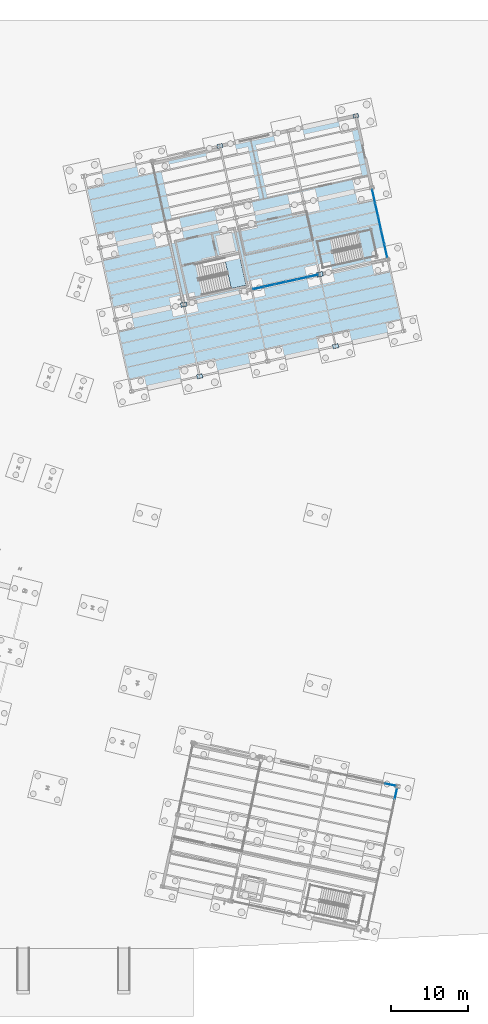
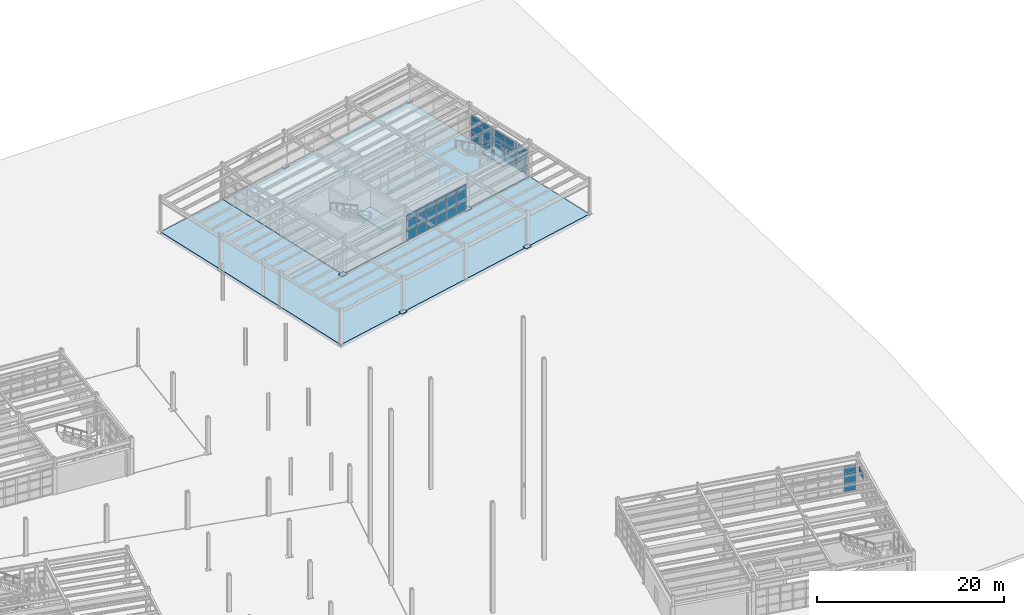
# One storey, part 69 of 108: 43 plates, 4 slabs, 6 elements without a shape of their own.
"""IFC4 building model written with IfcOpenShell, lengths in metres."""

from ifc_helpers import new_model, si_unit, direction, frame, origin, origin_2d, place, context, subcontext, project, spatial, polyline, rectangle, outline, extrude, material, layer, layer_set, type_object, element, aggregate, save


model = new_model("IFC4")

# Units and contexts
model_context = context("Model", 3, precision=1e-05, world=origin(), true_north=direction((0.0, 1.0)))
body_context = subcontext(model_context, "Body", "Model", "MODEL_VIEW")
ifc_project = project(units=[si_unit("LENGTHUNIT", "METRE"), si_unit("AREAUNIT", "SQUARE_METRE"), si_unit("VOLUMEUNIT", "CUBIC_METRE"), si_unit("PLANEANGLEUNIT", "RADIAN"), si_unit("MASSUNIT", "GRAM", prefix="KILO")], contexts=[model_context])

# Site, building, storey
site_placement = place(None, origin())
site = spatial("IfcSite", under=ifc_project, at=site_placement, CompositionType="ELEMENT")
building_placement = place(site_placement, origin())
building = spatial("IfcBuilding", under=site, at=building_placement, Name="Vireo Bluff Cable Station", CompositionType="ELEMENT")
storey_placement = place(building_placement, origin())
storey = spatial("IfcBuildingStorey", under=building, at=storey_placement, Name="L00", CompositionType="ELEMENT", Elevation=0.0)

# Plates
ifc_material_1 = material(Name="Steel ASTM A572 Gr. 50", Category="steel")
ifc_layer_1 = layer(ifc_material_1, 0.0419921875, Name="Steel ASTM A572 Gr. 50")
ifc_layer_set_1 = layer_set([ifc_layer_1], Name="Steel ASTM A572 Gr. 50")
plate_type_1 = type_object("IfcPlateType", Name="BASEPLATE-680X500X42", PredefinedType="SHEET", material=ifc_layer_set_1)
plate_1_placement = place(storey_placement, frame((154.97802734375, 109.6162109375, 0.0), z_axis=(0.0, 0.0, 1.0), x_axis=(0.97629600712, 0.216439613938, 0.0)))
element("IfcPlate", 1, at=plate_1_placement, inside=storey, type_object=plate_type_1, Name="V2 column baseplate 85", PredefinedType="SHEET", context=body_context, shape_type="SweptSolid", body=[
    extrude(rectangle(XDim=0.679931640625, YDim=0.5, at=origin_2d()), origin(), (0.0, 0.0, 1.0), 0.0419921875),
])
ifc_layer_2 = layer(ifc_material_1, 0.0439453125, Name="Steel ASTM A572 Gr. 50")
ifc_layer_set_2 = layer_set([ifc_layer_2], Name="Steel ASTM A572 Gr. 50")
plate_type_2 = type_object("IfcPlateType", Name="BASEPLATE-700X510X44", PredefinedType="SHEET", material=ifc_layer_set_2)
plate_2_placement = place(storey_placement, frame((137.40478515625, 105.720458984375, 0.0), z_axis=(0.0, 0.0, 1.0), x_axis=(0.97629600712, 0.216439613938, 0.0)))
element("IfcPlate", 2, at=plate_2_placement, inside=storey, type_object=plate_type_2, Name="V2 column baseplate 77", PredefinedType="SHEET", context=body_context, shape_type="SweptSolid", body=[
    extrude(rectangle(XDim=0.699951171875, YDim=0.510009765625, at=origin_2d()), origin(), (0.0, 0.0, 1.0), 0.0439453125),
])
ifc_layer_3 = layer(ifc_material_1, 0.044921875, Name="Steel ASTM A572 Gr. 50")
ifc_layer_set_3 = layer_set([ifc_layer_3], Name="Steel ASTM A572 Gr. 50")
plate_type_3 = type_object("IfcPlateType", Name="BASEPLATE-720X540X45", PredefinedType="SHEET", material=ifc_layer_set_3)
plate_3_placement = place(storey_placement, frame((134.78662109375, 75.947998046875, 0.0), z_axis=(0.0, 0.0, 1.0), x_axis=(0.97629600712, 0.216439613938, 0.0)))
element("IfcPlate", 3, at=plate_3_placement, inside=storey, type_object=plate_type_3, Name="V2 column baseplate 70", PredefinedType="SHEET", context=body_context, shape_type="SweptSolid", body=[
    extrude(rectangle(XDim=0.719970703125, YDim=0.5400390625, at=origin_2d()), origin(), (0.0, 0.0, 1.0), 0.044921875),
])
ifc_layer_4 = layer(ifc_material_1, 0.047119140625, Name="Steel ASTM A572 Gr. 50")
ifc_layer_set_4 = layer_set([ifc_layer_4], Name="Steel ASTM A572 Gr. 50")
plate_type_4 = type_object("IfcPlateType", Name="BASEPLATE-740X550X47", PredefinedType="SHEET", material=ifc_layer_set_4)
plate_4_placement = place(storey_placement, frame((152.360107421875, 79.84375, 0.0), z_axis=(0.0, 0.0, 1.0), x_axis=(0.97629600712, 0.216439613938, 0.0)))
element("IfcPlate", 4, at=plate_4_placement, inside=storey, type_object=plate_type_4, Name="V2 column baseplate 78", PredefinedType="SHEET", context=body_context, shape_type="SweptSolid", body=[
    extrude(rectangle(XDim=0.739990234375, YDim=0.550048828125, at=origin_2d()), origin(), (0.0, 0.0, 1.0), 0.047119140625),
])
ifc_layer_5 = layer(ifc_material_1, 0.050048828125, Name="Steel ASTM A572 Gr. 50")
ifc_layer_set_5 = layer_set([ifc_layer_5], Name="Steel ASTM A572 Gr. 50")
plate_type_5 = type_object("IfcPlateType", Name="BASEPLATE-780X580X50", PredefinedType="SHEET", material=ifc_layer_set_5)
plate_5_placement = place(storey_placement, frame((132.73046875, 85.22265625, 0.0), z_axis=(0.0, 0.0, 1.0), x_axis=(0.97629600712, 0.216439613938, 0.0)))
element("IfcPlate", 5, at=plate_5_placement, inside=storey, type_object=plate_type_5, Name="V2 column baseplate 71", PredefinedType="SHEET", context=body_context, shape_type="SweptSolid", body=[
    extrude(rectangle(XDim=0.780029296875, YDim=0.580078125, at=origin_2d()), origin(), (0.0, 0.0, 1.0), 0.050048828125),
])
ifc_layer_6 = layer(ifc_material_1, 0.052001953125, Name="Steel ASTM A572 Gr. 50")
ifc_layer_set_6 = layer_set([ifc_layer_6], Name="Steel ASTM A572 Gr. 50")
plate_type_6 = type_object("IfcPlateType", Name="BASEPLATE-820X600X52", PredefinedType="SHEET", material=ifc_layer_set_6)
plate_6_placement = place(storey_placement, frame((150.3037109375, 89.11865234375, 0.0), z_axis=(0.0, 0.0, 1.0), x_axis=(0.97629600712, 0.216439613938, 0.0)))
element("IfcPlate", 6, at=plate_6_placement, inside=storey, type_object=plate_type_6, Name="V2 column baseplate 79", PredefinedType="SHEET", context=body_context, shape_type="SweptSolid", body=[
    extrude(rectangle(XDim=0.820068359375, YDim=0.60009765625, at=origin_2d()), origin(), (0.0, 0.0, 1.0), 0.052001953125),
])

# Curtain wall, plates
ifc_material_2 = material(Name="Anodized Aluminium 6063-T6", Category="aluminium")
ifc_layer_7 = layer(ifc_material_2, 0.159912109375, Name="Anodized Aluminium 6063-T6")
ifc_layer_set_7 = layer_set([ifc_layer_7], Name="Anodized Aluminium 6063-T6")
curtain_wall_type_1 = type_object("IfcCurtainWallType", Name="CW-STICK-1850", PredefinedType="USERDEFINED", material=ifc_layer_set_7)
curtain_wall_1_placement = place(storey_placement, origin())
curtain_wall_1 = element("IfcCurtainWall", 7, at=curtain_wall_1_placement, inside=storey, type_object=curtain_wall_type_1, Name="V2 L00 east curtain wall CW-041", ObjectType="STICK CURTAIN WALL", PredefinedType="USERDEFINED")
ifc_material_3 = material(Name="Laminated Low-E Insulated Glass", Category="glass")
ifc_layer_8 = layer(ifc_material_3, 0.031982421875, Name="Laminated Low-E Insulated Glass")
ifc_layer_set_8 = layer_set([ifc_layer_8], Name="Laminated Low-E Insulated Glass")
plate_type_7 = type_object("IfcPlateType", Name="CWP-32-2", PredefinedType="CURTAIN_PANEL", material=ifc_layer_set_8)
plate_7_placement = place(storey_placement, frame((157.27880859375, 99.23828125, 0.0751953125), z_axis=(0.0, 0.0, 1.0), x_axis=(0.216439591156, -0.976296012171, 0.0)))
plate_7 = element("IfcPlate", 8, at=plate_7_placement, type_object=plate_type_7, Name="CW-041 panel 1.1", PredefinedType="CURTAIN_PANEL", context=body_context, shape_type="SweptSolid", body=[
    extrude(rectangle(XDim=1.706787109375, YDim=0.031982421875, at=origin_2d()), origin(), (0.0, 0.0, 1.0), 1.077392578125),
])
plate_8_placement = place(storey_placement, frame((157.27880859375, 99.23828125, 1.2275390625), z_axis=(0.0, 0.0, 1.0), x_axis=(0.216439591156, -0.976296012171, 0.0)))
plate_8 = element("IfcPlate", 9, at=plate_8_placement, type_object=plate_type_7, Name="CW-041 panel 1.2", PredefinedType="CURTAIN_PANEL", context=body_context, shape_type="SweptSolid", body=[
    extrude(rectangle(XDim=1.706787109375, YDim=0.031982421875, at=origin_2d()), origin(), (0.0, 0.0, 1.0), 1.18310546875),
])
plate_9_placement = place(storey_placement, frame((157.27880859375, 99.23828125, 2.4853515625), z_axis=(0.0, 0.0, 1.0), x_axis=(0.216439591156, -0.976296012171, 0.0)))
plate_9 = element("IfcPlate", 10, at=plate_9_placement, type_object=plate_type_7, Name="CW-041 panel 1.3", PredefinedType="CURTAIN_PANEL", context=body_context, shape_type="SweptSolid", body=[
    extrude(rectangle(XDim=1.706787109375, YDim=0.031982421875, at=origin_2d()), origin(), (0.0, 0.0, 1.0), 0.839599609375),
])
plate_10_placement = place(storey_placement, frame((157.668701171875, 97.480224609375, 0.0751953125), z_axis=(0.0, 0.0, 1.0), x_axis=(0.216439591156, -0.976296012171, 0.0)))
plate_10 = element("IfcPlate", 11, at=plate_10_placement, type_object=plate_type_7, Name="CW-041 panel 2.1", PredefinedType="CURTAIN_PANEL", context=body_context, shape_type="SweptSolid", body=[
    extrude(rectangle(XDim=1.744384765625, YDim=0.031982421875, at=origin_2d()), origin(), (0.0, 0.0, 1.0), 1.077392578125),
])
plate_11_placement = place(storey_placement, frame((157.668701171875, 97.480224609375, 1.2275390625), z_axis=(0.0, 0.0, 1.0), x_axis=(0.216439591156, -0.976296012171, 0.0)))
plate_11 = element("IfcPlate", 12, at=plate_11_placement, type_object=plate_type_7, Name="CW-041 panel 2.2", PredefinedType="CURTAIN_PANEL", context=body_context, shape_type="SweptSolid", body=[
    extrude(rectangle(XDim=1.744384765625, YDim=0.031982421875, at=origin_2d()), origin(), (0.0, 0.0, 1.0), 1.18310546875),
])
plate_12_placement = place(storey_placement, frame((157.668701171875, 97.480224609375, 2.4853515625), z_axis=(0.0, 0.0, 1.0), x_axis=(0.216439591156, -0.976296012171, 0.0)))
plate_12 = element("IfcPlate", 13, at=plate_12_placement, type_object=plate_type_7, Name="CW-041 panel 2.3", PredefinedType="CURTAIN_PANEL", context=body_context, shape_type="SweptSolid", body=[
    extrude(rectangle(XDim=1.744384765625, YDim=0.031982421875, at=origin_2d()), origin(), (0.0, 0.0, 1.0), 0.839599609375),
])
plate_13_placement = place(storey_placement, frame((158.0625, 95.7041015625, 0.0751953125), z_axis=(0.0, 0.0, 1.0), x_axis=(0.216439591156, -0.976296012171, 0.0)))
plate_13 = element("IfcPlate", 14, at=plate_13_placement, type_object=plate_type_7, Name="CW-041 panel 3.1", PredefinedType="CURTAIN_PANEL", context=body_context, shape_type="SweptSolid", body=[
    extrude(rectangle(XDim=1.744384765625, YDim=0.031982421875, at=origin_2d()), origin(), (0.0, 0.0, 1.0), 1.077392578125),
])
plate_14_placement = place(storey_placement, frame((158.0625, 95.7041015625, 1.2275390625), z_axis=(0.0, 0.0, 1.0), x_axis=(0.216439591156, -0.976296012171, 0.0)))
plate_14 = element("IfcPlate", 15, at=plate_14_placement, type_object=plate_type_7, Name="CW-041 panel 3.2", PredefinedType="CURTAIN_PANEL", context=body_context, shape_type="SweptSolid", body=[
    extrude(rectangle(XDim=1.744384765625, YDim=0.031982421875, at=origin_2d()), origin(), (0.0, 0.0, 1.0), 1.18310546875),
])
plate_15_placement = place(storey_placement, frame((158.0625, 95.7041015625, 2.4853515625), z_axis=(0.0, 0.0, 1.0), x_axis=(0.216439591156, -0.976296012171, 0.0)))
plate_15 = element("IfcPlate", 16, at=plate_15_placement, type_object=plate_type_7, Name="CW-041 panel 3.3", PredefinedType="CURTAIN_PANEL", context=body_context, shape_type="SweptSolid", body=[
    extrude(rectangle(XDim=1.744384765625, YDim=0.031982421875, at=origin_2d()), origin(), (0.0, 0.0, 1.0), 0.839599609375),
])
plate_16_placement = place(storey_placement, frame((158.456298828125, 93.927734375, 0.0751953125), z_axis=(0.0, 0.0, 1.0), x_axis=(0.216439591156, -0.976296012171, 0.0)))
plate_16 = element("IfcPlate", 17, at=plate_16_placement, type_object=plate_type_7, Name="CW-041 panel 4.1", PredefinedType="CURTAIN_PANEL", context=body_context, shape_type="SweptSolid", body=[
    extrude(rectangle(XDim=1.744384765625, YDim=0.031982421875, at=origin_2d()), origin(), (0.0, 0.0, 1.0), 1.077392578125),
])
plate_17_placement = place(storey_placement, frame((158.456298828125, 93.927734375, 1.2275390625), z_axis=(0.0, 0.0, 1.0), x_axis=(0.216439591156, -0.976296012171, 0.0)))
plate_17 = element("IfcPlate", 18, at=plate_17_placement, type_object=plate_type_7, Name="CW-041 panel 4.2", PredefinedType="CURTAIN_PANEL", context=body_context, shape_type="SweptSolid", body=[
    extrude(rectangle(XDim=1.744384765625, YDim=0.031982421875, at=origin_2d()), origin(), (0.0, 0.0, 1.0), 1.18310546875),
])
plate_18_placement = place(storey_placement, frame((158.456298828125, 93.927734375, 2.4853515625), z_axis=(0.0, 0.0, 1.0), x_axis=(0.216439591156, -0.976296012171, 0.0)))
plate_18 = element("IfcPlate", 19, at=plate_18_placement, type_object=plate_type_7, Name="CW-041 panel 4.3", PredefinedType="CURTAIN_PANEL", context=body_context, shape_type="SweptSolid", body=[
    extrude(rectangle(XDim=1.744384765625, YDim=0.031982421875, at=origin_2d()), origin(), (0.0, 0.0, 1.0), 0.839599609375),
])
plate_19_placement = place(storey_placement, frame((158.845947265625, 92.169921875, 0.0751953125), z_axis=(0.0, 0.0, 1.0), x_axis=(0.216439591156, -0.976296012171, 0.0)))
plate_19 = element("IfcPlate", 20, at=plate_19_placement, type_object=plate_type_7, Name="CW-041 panel 5.1", PredefinedType="CURTAIN_PANEL", context=body_context, shape_type="SweptSolid", body=[
    extrude(rectangle(XDim=1.706787109375, YDim=0.031982421875, at=origin_2d()), origin(), (0.0, 0.0, 1.0), 1.077392578125),
])
plate_20_placement = place(storey_placement, frame((158.845947265625, 92.169921875, 1.2275390625), z_axis=(0.0, 0.0, 1.0), x_axis=(0.216439591156, -0.976296012171, 0.0)))
plate_20 = element("IfcPlate", 21, at=plate_20_placement, type_object=plate_type_7, Name="CW-041 panel 5.2", PredefinedType="CURTAIN_PANEL", context=body_context, shape_type="SweptSolid", body=[
    extrude(rectangle(XDim=1.706787109375, YDim=0.031982421875, at=origin_2d()), origin(), (0.0, 0.0, 1.0), 1.18310546875),
])
plate_21_placement = place(storey_placement, frame((158.845947265625, 92.169921875, 2.4853515625), z_axis=(0.0, 0.0, 1.0), x_axis=(0.216439591156, -0.976296012171, 0.0)))
plate_21 = element("IfcPlate", 22, at=plate_21_placement, type_object=plate_type_7, Name="CW-041 panel 5.3", PredefinedType="CURTAIN_PANEL", context=body_context, shape_type="SweptSolid", body=[
    extrude(rectangle(XDim=1.706787109375, YDim=0.031982421875, at=origin_2d()), origin(), (0.0, 0.0, 1.0), 0.839599609375),
])
aggregate(curtain_wall_1, [plate_7, plate_8, plate_9, plate_10, plate_11, plate_12, plate_13, plate_14, plate_15, plate_16, plate_17, plate_18, plate_19, plate_20, plate_21])

ifc_layer_9 = layer(ifc_material_2, 0.179931640625, Name="Anodized Aluminium 6063-T6")
ifc_layer_set_9 = layer_set([ifc_layer_9], Name="Anodized Aluminium 6063-T6")
curtain_wall_type_2 = type_object("IfcCurtainWallType", Name="CW-UNIT-1400", PredefinedType="USERDEFINED", material=ifc_layer_set_9)
curtain_wall_2_placement = place(storey_placement, origin())
curtain_wall_2 = element("IfcCurtainWall", 23, at=curtain_wall_2_placement, inside=storey, type_object=curtain_wall_type_2, Name="V5E L00 north curtain wall CW-132", ObjectType="UNITISED CURTAIN WALL", PredefinedType="USERDEFINED")
ifc_layer_10 = layer(ifc_material_3, 0.035888671875, Name="Laminated Low-E Insulated Glass")
ifc_layer_set_10 = layer_set([ifc_layer_10], Name="Laminated Low-E Insulated Glass")
plate_type_8 = type_object("IfcPlateType", Name="CWP-36-3", PredefinedType="CURTAIN_PANEL", material=ifc_layer_set_10)
plate_22_placement = place(storey_placement, frame((159.44580078125, 23.16552734375, 0.06494140625), z_axis=(0.0, 0.0, 1.0), x_axis=(0.978147597163, -0.207911707617, 0.0)))
plate_22 = element("IfcPlate", 24, at=plate_22_placement, type_object=plate_type_8, Name="CW-132 panel 6.1", PredefinedType="CURTAIN_PANEL", context=body_context, shape_type="SweptSolid", body=[
    extrude(rectangle(XDim=1.3349609375, YDim=0.035888671875, at=origin_2d()), origin(), (0.0, 0.0, 1.0), 1.092529296875),
])
plate_23_placement = place(storey_placement, frame((159.44580078125, 23.16552734375, 1.22265625), z_axis=(0.0, 0.0, 1.0), x_axis=(0.978147597163, -0.207911707617, 0.0)))
plate_23 = element("IfcPlate", 25, at=plate_23_placement, type_object=plate_type_8, Name="CW-132 panel 6.2", PredefinedType="CURTAIN_PANEL", context=body_context, shape_type="SweptSolid", body=[
    extrude(rectangle(XDim=1.3349609375, YDim=0.035888671875, at=origin_2d()), origin(), (0.0, 0.0, 1.0), 1.193115234375),
])
plate_24_placement = place(storey_placement, frame((159.44580078125, 23.16552734375, 2.48046875), z_axis=(0.0, 0.0, 1.0), x_axis=(0.978147597163, -0.207911707617, 0.0)))
plate_24 = element("IfcPlate", 26, at=plate_24_placement, type_object=plate_type_8, Name="CW-132 panel 6.3", PredefinedType="CURTAIN_PANEL", context=body_context, shape_type="SweptSolid", body=[
    extrude(rectangle(XDim=1.3349609375, YDim=0.035888671875, at=origin_2d()), origin(), (0.0, 0.0, 1.0), 0.8544921875),
])
aggregate(curtain_wall_2, [plate_22, plate_23, plate_24])

# Curtain wall, plate
ifc_layer_11 = layer(ifc_material_2, 0.179931640625, Name="Anodized Aluminium 6063-T6")
ifc_layer_set_11 = layer_set([ifc_layer_11], Name="Anodized Aluminium 6063-T6")
curtain_wall_type_3 = type_object("IfcCurtainWallType", Name="CW-UNIT-1500", PredefinedType="USERDEFINED", material=ifc_layer_set_11)
curtain_wall_3_placement = place(storey_placement, origin())
curtain_wall_3 = element("IfcCurtainWall", 27, at=curtain_wall_3_placement, inside=storey, type_object=curtain_wall_type_3, Name="V5E L00 east curtain wall CW-133", ObjectType="UNITISED CURTAIN WALL", PredefinedType="USERDEFINED")
ifc_material_4 = material(Name="Insulated Spandrel Glass Panel", Category="glass")
ifc_layer_12 = layer(ifc_material_4, 0.0419921875, Name="Insulated Spandrel Glass Panel")
ifc_layer_set_12 = layer_set([ifc_layer_12], Name="Insulated Spandrel Glass Panel")
plate_type_9 = type_object("IfcPlateType", Name="CWP-42-4", PredefinedType="CURTAIN_PANEL", material=ifc_layer_set_12)
plate_25_placement = place(storey_placement, frame((160.15576171875, 22.00830078125, 2.4853515625), z_axis=(0.0, 0.0, 1.0), x_axis=(-0.207911661778, -0.978147606906, 0.0)))
plate_25 = element("IfcPlate", 28, at=plate_25_placement, type_object=plate_type_9, Name="CW-133 panel 1.3", PredefinedType="CURTAIN_PANEL", context=body_context, shape_type="SweptSolid", body=[
    extrude(rectangle(XDim=1.41552734375, YDim=0.0419921875, at=origin_2d()), origin(), (0.0, 0.0, 1.0), 0.839599609375),
])
aggregate(curtain_wall_3, [plate_25])

# Curtain wall, plates
curtain_wall_4_placement = place(storey_placement, origin())
curtain_wall_4 = element("IfcCurtainWall", 29, at=curtain_wall_4_placement, inside=storey, type_object=curtain_wall_type_2, Name="V2 L00 south curtain wall CW-039", ObjectType="UNITISED CURTAIN WALL", PredefinedType="USERDEFINED")
ifc_layer_13 = layer(ifc_material_4, 0.048095703125, Name="Insulated Spandrel Glass Panel")
ifc_layer_set_13 = layer_set([ifc_layer_13], Name="Insulated Spandrel Glass Panel")
plate_type_10 = type_object("IfcPlateType", Name="CWP-48-5", PredefinedType="CURTAIN_PANEL", material=ifc_layer_set_13)
plate_26_placement = place(storey_placement, frame((149.469482421875, 88.933837890625, 0.080078125), z_axis=(0.0, 0.0, 1.0), x_axis=(-0.976296008914, -0.216439605844, 0.0)))
plate_26 = element("IfcPlate", 30, at=plate_26_placement, type_object=plate_type_10, Name="CW-039 panel 1.1", PredefinedType="CURTAIN_PANEL", context=body_context, shape_type="SweptSolid", body=[
    extrude(rectangle(XDim=1.341064453125, YDim=0.048095703125, at=origin_2d()), origin(), (0.0, 0.0, 1.0), 1.070068359375),
])
plate_27_placement = place(storey_placement, frame((149.469482421875, 88.933837890625, 1.22998046875), z_axis=(0.0, 0.0, 1.0), x_axis=(-0.976296008914, -0.216439605844, 0.0)))
plate_27 = element("IfcPlate", 31, at=plate_27_placement, type_object=plate_type_10, Name="CW-039 panel 1.2", PredefinedType="CURTAIN_PANEL", context=body_context, shape_type="SweptSolid", body=[
    extrude(rectangle(XDim=1.341064453125, YDim=0.048095703125, at=origin_2d()), origin(), (0.0, 0.0, 1.0), 1.177978515625),
])
plate_28_placement = place(storey_placement, frame((149.469482421875, 88.933837890625, 2.488037109375), z_axis=(0.0, 0.0, 1.0), x_axis=(-0.976296008914, -0.216439605844, 0.0)))
plate_28 = element("IfcPlate", 32, at=plate_28_placement, type_object=plate_type_10, Name="CW-039 panel 1.3", PredefinedType="CURTAIN_PANEL", context=body_context, shape_type="SweptSolid", body=[
    extrude(rectangle(XDim=1.341064453125, YDim=0.048095703125, at=origin_2d()), origin(), (0.0, 0.0, 1.0), 0.83203125),
])
plate_29_placement = place(storey_placement, frame((148.0625, 88.621826171875, 0.080078125), z_axis=(0.0, 0.0, 1.0), x_axis=(-0.976296008914, -0.216439605844, 0.0)))
plate_29 = element("IfcPlate", 33, at=plate_29_placement, type_object=plate_type_10, Name="CW-039 panel 2.1", PredefinedType="CURTAIN_PANEL", context=body_context, shape_type="SweptSolid", body=[
    extrude(rectangle(XDim=1.381103515625, YDim=0.048095703125, at=origin_2d()), origin(), (0.0, 0.0, 1.0), 1.070068359375),
])
plate_30_placement = place(storey_placement, frame((148.0625, 88.621826171875, 1.22998046875), z_axis=(0.0, 0.0, 1.0), x_axis=(-0.976296008914, -0.216439605844, 0.0)))
plate_30 = element("IfcPlate", 34, at=plate_30_placement, type_object=plate_type_10, Name="CW-039 panel 2.2", PredefinedType="CURTAIN_PANEL", context=body_context, shape_type="SweptSolid", body=[
    extrude(rectangle(XDim=1.381103515625, YDim=0.048095703125, at=origin_2d()), origin(), (0.0, 0.0, 1.0), 1.177978515625),
])
plate_31_placement = place(storey_placement, frame((148.0625, 88.621826171875, 2.488037109375), z_axis=(0.0, 0.0, 1.0), x_axis=(-0.976296008914, -0.216439605844, 0.0)))
plate_31 = element("IfcPlate", 35, at=plate_31_placement, type_object=plate_type_10, Name="CW-039 panel 2.3", PredefinedType="CURTAIN_PANEL", context=body_context, shape_type="SweptSolid", body=[
    extrude(rectangle(XDim=1.381103515625, YDim=0.048095703125, at=origin_2d()), origin(), (0.0, 0.0, 1.0), 0.83203125),
])
plate_32_placement = place(storey_placement, frame((146.635986328125, 88.305419921875, 0.080078125), z_axis=(0.0, 0.0, 1.0), x_axis=(-0.976296008914, -0.216439605844, 0.0)))
plate_32 = element("IfcPlate", 36, at=plate_32_placement, type_object=plate_type_10, Name="CW-039 panel 3.1", PredefinedType="CURTAIN_PANEL", context=body_context, shape_type="SweptSolid", body=[
    extrude(rectangle(XDim=1.381103515625, YDim=0.048095703125, at=origin_2d()), origin(), (0.0, 0.0, 1.0), 1.070068359375),
])
plate_33_placement = place(storey_placement, frame((146.635986328125, 88.305419921875, 1.22998046875), z_axis=(0.0, 0.0, 1.0), x_axis=(-0.976296008914, -0.216439605844, 0.0)))
plate_33 = element("IfcPlate", 37, at=plate_33_placement, type_object=plate_type_10, Name="CW-039 panel 3.2", PredefinedType="CURTAIN_PANEL", context=body_context, shape_type="SweptSolid", body=[
    extrude(rectangle(XDim=1.381103515625, YDim=0.048095703125, at=origin_2d()), origin(), (0.0, 0.0, 1.0), 1.177978515625),
])
plate_34_placement = place(storey_placement, frame((146.635986328125, 88.305419921875, 2.488037109375), z_axis=(0.0, 0.0, 1.0), x_axis=(-0.976296008914, -0.216439605844, 0.0)))
plate_34 = element("IfcPlate", 38, at=plate_34_placement, type_object=plate_type_10, Name="CW-039 panel 3.3", PredefinedType="CURTAIN_PANEL", context=body_context, shape_type="SweptSolid", body=[
    extrude(rectangle(XDim=1.381103515625, YDim=0.048095703125, at=origin_2d()), origin(), (0.0, 0.0, 1.0), 0.83203125),
])
plate_35_placement = place(storey_placement, frame((145.20947265625, 87.9892578125, 0.080078125), z_axis=(0.0, 0.0, 1.0), x_axis=(-0.976296008914, -0.216439605844, 0.0)))
plate_35 = element("IfcPlate", 39, at=plate_35_placement, type_object=plate_type_10, Name="CW-039 panel 4.1", PredefinedType="CURTAIN_PANEL", context=body_context, shape_type="SweptSolid", body=[
    extrude(rectangle(XDim=1.381103515625, YDim=0.048095703125, at=origin_2d()), origin(), (0.0, 0.0, 1.0), 1.070068359375),
])
plate_36_placement = place(storey_placement, frame((145.20947265625, 87.9892578125, 1.22998046875), z_axis=(0.0, 0.0, 1.0), x_axis=(-0.976296008914, -0.216439605844, 0.0)))
plate_36 = element("IfcPlate", 40, at=plate_36_placement, type_object=plate_type_10, Name="CW-039 panel 4.2", PredefinedType="CURTAIN_PANEL", context=body_context, shape_type="SweptSolid", body=[
    extrude(rectangle(XDim=1.381103515625, YDim=0.048095703125, at=origin_2d()), origin(), (0.0, 0.0, 1.0), 1.177978515625),
])
plate_37_placement = place(storey_placement, frame((145.20947265625, 87.9892578125, 2.488037109375), z_axis=(0.0, 0.0, 1.0), x_axis=(-0.976296008914, -0.216439605844, 0.0)))
plate_37 = element("IfcPlate", 41, at=plate_37_placement, type_object=plate_type_10, Name="CW-039 panel 4.3", PredefinedType="CURTAIN_PANEL", context=body_context, shape_type="SweptSolid", body=[
    extrude(rectangle(XDim=1.381103515625, YDim=0.048095703125, at=origin_2d()), origin(), (0.0, 0.0, 1.0), 0.83203125),
])
plate_38_placement = place(storey_placement, frame((143.782958984375, 87.673095703125, 0.080078125), z_axis=(0.0, 0.0, 1.0), x_axis=(-0.976296008914, -0.216439605844, 0.0)))
plate_38 = element("IfcPlate", 42, at=plate_38_placement, type_object=plate_type_10, Name="CW-039 panel 5.1", PredefinedType="CURTAIN_PANEL", context=body_context, shape_type="SweptSolid", body=[
    extrude(rectangle(XDim=1.381103515625, YDim=0.048095703125, at=origin_2d()), origin(), (0.0, 0.0, 1.0), 1.070068359375),
])
plate_39_placement = place(storey_placement, frame((143.782958984375, 87.673095703125, 1.22998046875), z_axis=(0.0, 0.0, 1.0), x_axis=(-0.976296008914, -0.216439605844, 0.0)))
plate_39 = element("IfcPlate", 43, at=plate_39_placement, type_object=plate_type_10, Name="CW-039 panel 5.2", PredefinedType="CURTAIN_PANEL", context=body_context, shape_type="SweptSolid", body=[
    extrude(rectangle(XDim=1.381103515625, YDim=0.048095703125, at=origin_2d()), origin(), (0.0, 0.0, 1.0), 1.177978515625),
])
plate_40_placement = place(storey_placement, frame((143.782958984375, 87.673095703125, 2.488037109375), z_axis=(0.0, 0.0, 1.0), x_axis=(-0.976296008914, -0.216439605844, 0.0)))
plate_40 = element("IfcPlate", 44, at=plate_40_placement, type_object=plate_type_10, Name="CW-039 panel 5.3", PredefinedType="CURTAIN_PANEL", context=body_context, shape_type="SweptSolid", body=[
    extrude(rectangle(XDim=1.381103515625, YDim=0.048095703125, at=origin_2d()), origin(), (0.0, 0.0, 1.0), 0.83203125),
])
plate_41_placement = place(storey_placement, frame((142.3759765625, 87.361083984375, 0.080078125), z_axis=(0.0, 0.0, 1.0), x_axis=(-0.976296008914, -0.216439605844, 0.0)))
plate_41 = element("IfcPlate", 45, at=plate_41_placement, type_object=plate_type_10, Name="CW-039 panel 6.1", PredefinedType="CURTAIN_PANEL", context=body_context, shape_type="SweptSolid", body=[
    extrude(rectangle(XDim=1.341064453125, YDim=0.048095703125, at=origin_2d()), origin(), (0.0, 0.0, 1.0), 1.070068359375),
])
plate_42_placement = place(storey_placement, frame((142.3759765625, 87.361083984375, 1.22998046875), z_axis=(0.0, 0.0, 1.0), x_axis=(-0.976296008914, -0.216439605844, 0.0)))
plate_42 = element("IfcPlate", 46, at=plate_42_placement, type_object=plate_type_10, Name="CW-039 panel 6.2", PredefinedType="CURTAIN_PANEL", context=body_context, shape_type="SweptSolid", body=[
    extrude(rectangle(XDim=1.341064453125, YDim=0.048095703125, at=origin_2d()), origin(), (0.0, 0.0, 1.0), 1.177978515625),
])
plate_43_placement = place(storey_placement, frame((142.3759765625, 87.361083984375, 2.488037109375), z_axis=(0.0, 0.0, 1.0), x_axis=(-0.976296008914, -0.216439605844, 0.0)))
plate_43 = element("IfcPlate", 47, at=plate_43_placement, type_object=plate_type_10, Name="CW-039 panel 6.3", PredefinedType="CURTAIN_PANEL", context=body_context, shape_type="SweptSolid", body=[
    extrude(rectangle(XDim=1.341064453125, YDim=0.048095703125, at=origin_2d()), origin(), (0.0, 0.0, 1.0), 0.83203125),
])
aggregate(curtain_wall_4, [plate_26, plate_27, plate_28, plate_29, plate_30, plate_31, plate_32, plate_33, plate_34, plate_35, plate_36, plate_37, plate_38, plate_39, plate_40, plate_41, plate_42, plate_43])

# Slabs
ifc_material_5 = material(Name="Concrete f'c 40 MPa", Category="concrete")
ifc_layer_14 = layer(ifc_material_5, 0.449951171875, Name="Concrete f'c 40 MPa")
ifc_layer_set_14 = layer_set([ifc_layer_14], Name="Concrete f'c 40 MPa")
slab_type_1 = type_object("IfcSlabType", Name="GSL-450", PredefinedType="BASESLAB", material=ifc_layer_set_14)
slab_1_placement = place(storey_placement, frame((0.0, 0.0, -0.449951171875)))
element("IfcSlab", 48, at=slab_1_placement, inside=storey, type_object=slab_type_1, Name="V2 L00 base slab", PredefinedType="BASESLAB", context=body_context, shape_type="SweptSolid", body=[
    extrude(outline(polyline([(132.73046875, 85.22265625), (145.27587890625, 88.00390625), (145.228271484375, 88.21875), (146.49755859375, 88.500244140625), (146.545166015625, 88.285400390625), (159.090576171875, 91.066650390625), (154.97802734375, 109.6162109375), (128.6181640625, 103.7724609375), (132.73046875, 85.22265625)])), origin(), (0.0, 0.0, 1.0), 0.449951171875),
])
ifc_layer_15 = layer(ifc_material_5, 0.449951171875, Name="Concrete f'c 40 MPa")
ifc_layer_set_15 = layer_set([ifc_layer_15], Name="Concrete f'c 40 MPa")
slab_type_2 = type_object("IfcSlabType", Name="GSL-EXT-450", PredefinedType="BASESLAB", material=ifc_layer_set_15)
slab_2_placement = place(storey_placement, frame((0.0, 0.0, -0.449951171875)))
element("IfcSlab", 49, at=slab_2_placement, inside=storey, type_object=slab_type_2, Name="V2 L00 covered plinth deck 1", PredefinedType="BASESLAB", context=body_context, shape_type="SweptSolid", body=[
    extrude(outline(polyline([(161.146728515625, 81.791748046875), (126.0, 74.0), (119.83154296875, 101.824462890625), (128.5888671875, 103.765869140625), (132.707763671875, 85.18701171875), (159.096923828125, 91.037353515625), (161.146728515625, 81.791748046875)])), origin(), (0.0, 0.0, 1.0), 0.449951171875),
])

# Stair, slab
stair_type_1 = type_object("IfcStairType", Name="STAIR-HT-1950", PredefinedType="HALF_TURN_STAIR", material=ifc_material_5)
stair_1_placement = place(storey_placement, origin())
stair_1 = element("IfcStair", 50, at=stair_1_placement, inside=storey, type_object=stair_type_1, Name="L00 CORE-4 Exit Stair ST-04", PredefinedType="HALF_TURN_STAIR")
ifc_layer_16 = layer(ifc_material_5, 0.18994140625, Name="Concrete f'c 40 MPa")
ifc_layer_set_16 = layer_set([ifc_layer_16], Name="Concrete f'c 40 MPa")
slab_type_3 = type_object("IfcSlabType", Name="LANDING-190", PredefinedType="LANDING", material=ifc_layer_set_16)
slab_3_placement = place(storey_placement, frame((0.0, 0.0, 2.199951171875)))
slab_3 = element("IfcSlab", 51, at=slab_3_placement, type_object=slab_type_3, Name="ST-04 landing 1", PredefinedType="LANDING", context=body_context, shape_type="SweptSolid", body=[
    extrude(outline(polyline([(138.875244140625, 87.302001953125), (140.77978515625, 87.724365234375), (139.892578125, 91.72705078125), (137.98779296875, 91.304931640625), (138.875244140625, 87.302001953125)])), origin(), (0.0, 0.0, 1.0), 0.199951171875),
])
aggregate(stair_1, [slab_3])

stair_type_2 = type_object("IfcStairType", Name="STAIR-HT-1680", PredefinedType="HALF_TURN_STAIR", material=ifc_material_5)
stair_2_placement = place(storey_placement, origin())
stair_2 = element("IfcStair", 52, at=stair_2_placement, inside=storey, type_object=stair_type_2, Name="L00 Feature Concourse Stair ST-09", PredefinedType="HALF_TURN_STAIR")
ifc_layer_17 = layer(ifc_material_5, 0.199951171875, Name="Concrete f'c 40 MPa")
ifc_layer_set_17 = layer_set([ifc_layer_17], Name="Concrete f'c 40 MPa")
slab_type_4 = type_object("IfcSlabType", Name="LANDING-200", PredefinedType="LANDING", material=ifc_layer_set_17)
slab_4_placement = place(storey_placement, frame((0.0, 0.0, 2.199951171875)))
slab_4 = element("IfcSlab", 53, at=slab_4_placement, type_object=slab_type_4, Name="ST-09 landing 1", PredefinedType="LANDING", context=body_context, shape_type="SweptSolid", body=[
    extrude(outline(polyline([(156.00927734375, 91.1005859375), (157.767333984375, 91.490234375), (156.996826171875, 94.9658203125), (155.23876953125, 94.576171875), (156.00927734375, 91.1005859375)])), origin(), (0.0, 0.0, 1.0), 0.199951171875),
])
aggregate(stair_2, [slab_4])

save(model, "model.ifc")
